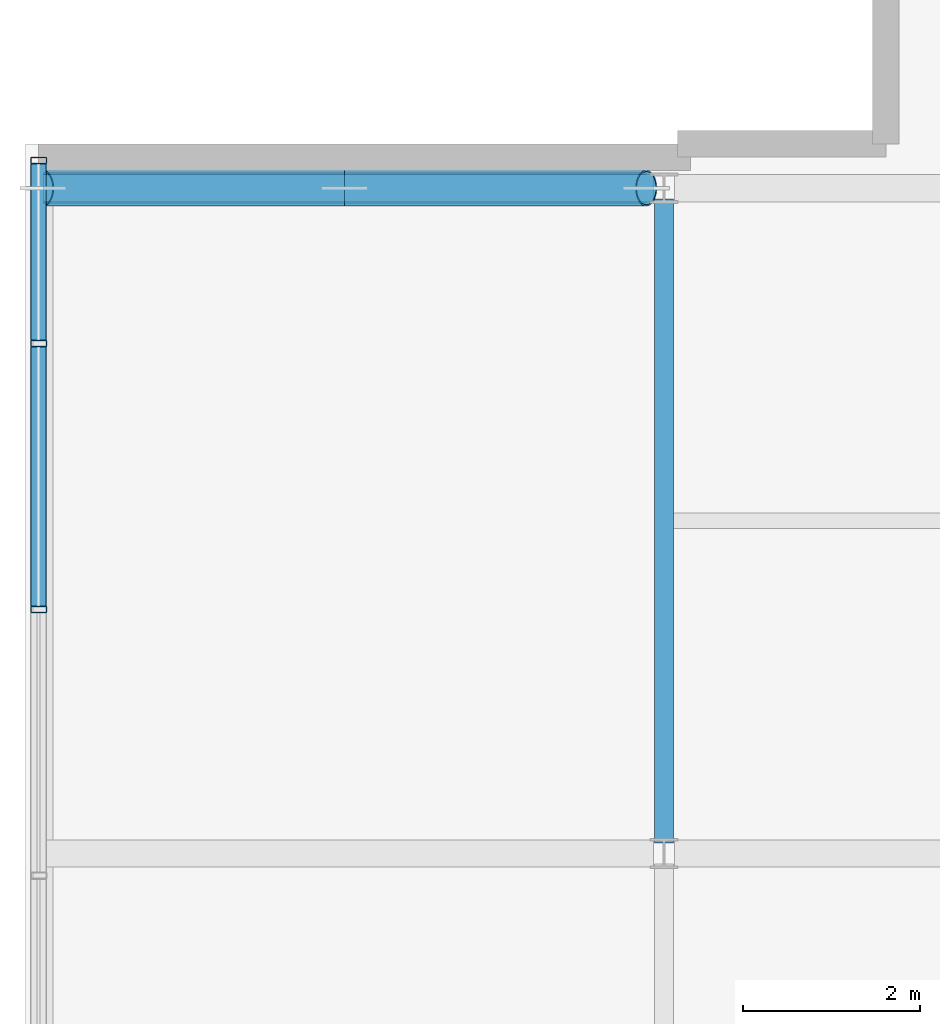
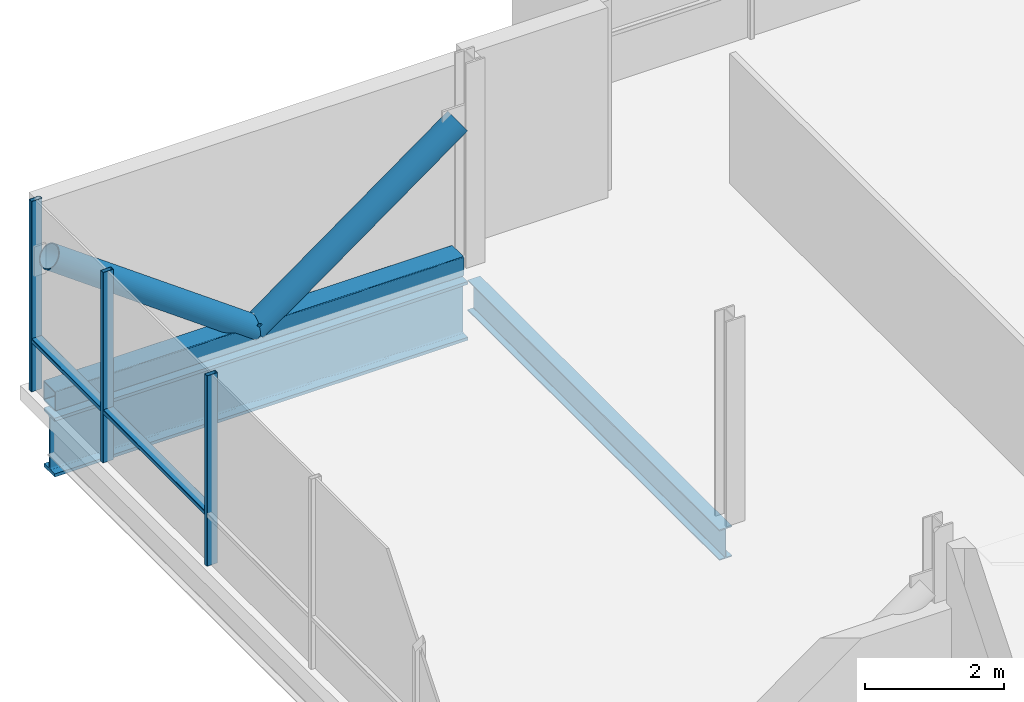
# One storey, part 4 of 18: 8 members, 2 beams, 1 element without a shape of its own.
"""IFC4 building model written with IfcOpenShell, lengths in metres."""

from ifc_helpers import new_model, si_unit, direction, frame, origin, origin_2d, place, context, subcontext, project, spatial, hollow_rectangle, hollow_circle, i_section, extrude, material, layer, layer_set, material_profile, profile_set, type_object, element, aggregate, save


model = new_model("IFC4")

# Units and contexts
model_context = context("Model", 3, precision=1e-05, world=origin(), true_north=direction((0.0, 1.0)))
body_context = subcontext(model_context, "Body", "Model", "MODEL_VIEW")
ifc_project = project(units=[si_unit("LENGTHUNIT", "METRE"), si_unit("AREAUNIT", "SQUARE_METRE"), si_unit("VOLUMEUNIT", "CUBIC_METRE"), si_unit("PLANEANGLEUNIT", "RADIAN"), si_unit("MASSUNIT", "GRAM", prefix="KILO")], contexts=[model_context])

# Site, building, storey
site_placement = place(None, origin())
site = spatial("IfcSite", under=ifc_project, at=site_placement, CompositionType="ELEMENT")
building_placement = place(site_placement, origin())
building = spatial("IfcBuilding", under=site, at=building_placement, Name="Brevholm Reach", CompositionType="ELEMENT")
storey_placement = place(building_placement, frame((0.0, 0.0, 240.050048828125)))
storey = spatial("IfcBuildingStorey", under=building, at=storey_placement, Name="L73", CompositionType="ELEMENT", Elevation=240.050048828125)

# Beams
ifc_material_1 = material(Name="Structural Steel S355J2", Category="steel")
ifc_material_profile_1 = material_profile(ifc_material_1, i_section(OverallWidth=0.210693359375, OverallDepth=0.53955078125, WebThickness=0.01171875, FlangeThickness=0.018798828125, FilletRadius=0.0126953125, at=origin_2d()), Name="UKB 533x210x109")
ifc_profile_set_1 = profile_set([ifc_material_profile_1], Name="Structural Steel S355J2")
beam_type_1 = type_object("IfcBeamType", Name="BM-SP539", PredefinedType="SPANDREL", material=ifc_profile_set_1)
beam_1_placement = place(storey_placement, frame((27.25, 16.1201171875, -0.519775390625), z_axis=(0.0, 1.0, 0.0), x_axis=(-1.0, 0.0, 0.0)))
element("IfcBeam", 1, at=beam_1_placement, inside=storey, type_object=beam_type_1, Name="L73 SP-01B Framing Beam", PredefinedType="SPANDREL", context=body_context, shape_type="SweptSolid", body=[
    extrude(i_section(OverallWidth=0.210693359375, OverallDepth=0.53955078125, WebThickness=0.01171875, FlangeThickness=0.018798828125, FilletRadius=0.0126953125, at=origin_2d()), origin(), (0.0, 0.0, 1.0), 7.259765625),
])
ifc_material_2 = material(Name="Structural Steel S460ML", Category="steel")
ifc_material_profile_2 = material_profile(ifc_material_2, i_section(OverallWidth=0.30859375, OverallDepth=1.036376953125, WebThickness=0.030029296875, FlangeThickness=0.05419921875, FilletRadius=0.030029296875, at=origin_2d()), Name="UKB 1016x305x487")
ifc_profile_set_2 = profile_set([ifc_material_profile_2], Name="Structural Steel S460ML")
beam_type_2 = type_object("IfcBeamType", Name="BM-UKB1016", PredefinedType="USERDEFINED", material=ifc_profile_set_2)
beam_2_placement = place(storey_placement, frame((20.25, 23.5, -0.768310546875), z_axis=(1.0, 0.0, 0.0), x_axis=(0.0, 1.0, 0.0)))
element("IfcBeam", 2, at=beam_2_placement, inside=storey, type_object=beam_type_2, Name="L73 Sky-Lounge Cantilever Girder", ObjectType="GIRDER", PredefinedType="USERDEFINED", context=body_context, shape_type="SweptSolid", body=[
    extrude(i_section(OverallWidth=0.30859375, OverallDepth=1.036376953125, WebThickness=0.030029296875, FlangeThickness=0.05419921875, FilletRadius=0.030029296875, at=origin_2d()), origin(), (0.0, 0.0, 1.0), 6.8798828125),
])

# Curtain wall, members
ifc_material_3 = material(Name="Dark Anodised Aluminium 6063-T6 and Solar-Control Glass", Category="aluminium")
ifc_layer = layer(ifc_material_3, 0.179931640625)
ifc_layer_set = layer_set([ifc_layer], Name="Dark Anodised Aluminium 6063-T6 and Solar-Control Glass")
curtain_wall_type = type_object("IfcCurtainWallType", Name="CW-05", PredefinedType="NOTDEFINED", material=ifc_layer_set)
curtain_wall_placement = place(storey_placement, origin())
curtain_wall = element("IfcCurtainWall", 3, at=curtain_wall_placement, inside=storey, type_object=curtain_wall_type, Name="L73 Curtain Wall CW-05", PredefinedType="NOTDEFINED")
ifc_material_4 = material(Name="Dark Anodised Aluminium 6063-T6", Category="aluminium")
ifc_material_profile_3 = material_profile(ifc_material_4, hollow_rectangle(XDim=0.074951171875, YDim=0.179931640625, WallThickness=0.006103515625, InnerFilletRadius=0.006103515625, OuterFilletRadius=0.011962890625, at=origin_2d()), Name="RHS 180x75x6")
ifc_profile_set_3 = profile_set([ifc_material_profile_3], Name="Dark Anodised Aluminium 6063-T6")
member_type_1 = type_object("IfcMemberType", Name="CWM-180", PredefinedType="MULLION", material=ifc_profile_set_3)
member_1_placement = place(storey_placement, frame((20.199951171875, 18.75, 0.0), z_axis=(0.0, 0.0, 1.0), x_axis=(0.0, 1.0, 0.0)))
member_1 = element("IfcMember", 4, at=member_1_placement, type_object=member_type_1, Name="CM-180 Mullion 4", PredefinedType="MULLION", context=body_context, shape_type="SweptSolid", body=[
    extrude(hollow_rectangle(XDim=0.074951171875, YDim=0.179931640625, WallThickness=0.006103515625, InnerFilletRadius=0.006103515625, OuterFilletRadius=0.011962890625, at=origin_2d()), origin(), (0.0, 0.0, 1.0), 3.349853515625),
])
member_2_placement = place(storey_placement, frame((20.199951171875, 21.75, 0.0), z_axis=(0.0, 0.0, 1.0), x_axis=(0.0, 1.0, 0.0)))
member_2 = element("IfcMember", 5, at=member_2_placement, type_object=member_type_1, Name="CM-180 Mullion 5", PredefinedType="MULLION", context=body_context, shape_type="SweptSolid", body=[
    extrude(hollow_rectangle(XDim=0.074951171875, YDim=0.179931640625, WallThickness=0.006103515625, InnerFilletRadius=0.006103515625, OuterFilletRadius=0.011962890625, at=origin_2d()), origin(), (0.0, 0.0, 1.0), 3.349853515625),
])
member_3_placement = place(storey_placement, frame((20.199951171875, 23.8125, 0.0), z_axis=(0.0, 0.0, 1.0), x_axis=(0.0, 1.0, 0.0)))
member_3 = element("IfcMember", 6, at=member_3_placement, type_object=member_type_1, Name="CM-180 Mullion 6", PredefinedType="MULLION", context=body_context, shape_type="SweptSolid", body=[
    extrude(hollow_rectangle(XDim=0.074951171875, YDim=0.179931640625, WallThickness=0.006103515625, InnerFilletRadius=0.006103515625, OuterFilletRadius=0.011962890625, at=origin_2d()), origin(), (0.0, 0.0, 1.0), 3.349853515625),
])
ifc_material_5 = material(Name="Dark Anodised Aluminium 6063-T6", Category="aluminium")
ifc_material_profile_4 = material_profile(ifc_material_5, hollow_rectangle(XDim=0.074951171875, YDim=0.179931640625, WallThickness=0.006103515625, InnerFilletRadius=0.006103515625, OuterFilletRadius=0.011962890625, at=origin_2d()), Name="RHS 180x75x6")
ifc_profile_set_4 = profile_set([ifc_material_profile_4], Name="Dark Anodised Aluminium 6063-T6")
member_type_2 = type_object("IfcMemberType", Name="CWT-180", PredefinedType="NOTDEFINED", material=ifc_profile_set_4)
member_4_placement = place(storey_placement, frame((20.199951171875, 18.78759765625, 0.89990234375), z_axis=(0.0, 1.0, 0.0), x_axis=(0.0, 0.0, 1.0)))
member_4 = element("IfcMember", 7, at=member_4_placement, type_object=member_type_2, Name="CT-180 Transom 4.1", ObjectType="TRANSOM", PredefinedType="USERDEFINED", context=body_context, shape_type="SweptSolid", body=[
    extrude(hollow_rectangle(XDim=0.074951171875, YDim=0.179931640625, WallThickness=0.006103515625, InnerFilletRadius=0.006103515625, OuterFilletRadius=0.011962890625, at=origin_2d()), origin(), (0.0, 0.0, 1.0), 2.9248046875),
])
member_5_placement = place(storey_placement, frame((20.199951171875, 21.78759765625, 0.89990234375), z_axis=(0.0, 1.0, 0.0), x_axis=(0.0, 0.0, 1.0)))
member_5 = element("IfcMember", 8, at=member_5_placement, type_object=member_type_2, Name="CT-180 Transom 5.1", ObjectType="TRANSOM", PredefinedType="USERDEFINED", context=body_context, shape_type="SweptSolid", body=[
    extrude(hollow_rectangle(XDim=0.074951171875, YDim=0.179931640625, WallThickness=0.006103515625, InnerFilletRadius=0.006103515625, OuterFilletRadius=0.011962890625, at=origin_2d()), origin(), (0.0, 0.0, 1.0), 1.9873046875),
])
aggregate(curtain_wall, [member_1, member_2, member_3, member_4, member_5])

# Members
ifc_material_6 = material(Name="Structural Steel S460NH", Category="steel")
ifc_material_profile_5 = material_profile(ifc_material_6, hollow_circle(Radius=0.203125, WallThickness=0.01611328125, at=origin_2d()), Name="CHS 406.4x16")
ifc_profile_set_5 = profile_set([ifc_material_profile_5], Name="Structural Steel S460NH")
member_type_3 = type_object("IfcMemberType", Name="MEM-TB-CHS406", PredefinedType="BRACE", material=ifc_profile_set_5)
member_6_placement = place(storey_placement, frame((27.050048828125, 23.5, 2.510009765625), z_axis=(-0.810192668767, 0.0, -0.586163662705), x_axis=(0.0, -1.0, 0.0)))
element("IfcMember", 9, at=member_6_placement, inside=storey, type_object=member_type_3, Name="L73 Sky-Lounge Cantilever Truss Diagonal Y23.1", PredefinedType="BRACE", context=body_context, shape_type="SweptSolid", body=[
    extrude(hollow_circle(Radius=0.203125, WallThickness=0.01611328125, at=origin_2d()), origin(), (0.0, 0.0, 1.0), 4.19677734375),
])
member_7_placement = place(storey_placement, frame((23.64990234375, 23.5, 0.050048828125), z_axis=(-0.810172679392, 0.0, 0.586191290934), x_axis=(0.0, -1.0, 0.0)))
element("IfcMember", 10, at=member_7_placement, inside=storey, type_object=member_type_3, Name="L73 Sky-Lounge Cantilever Truss Diagonal Y23.2", PredefinedType="BRACE", context=body_context, shape_type="SweptSolid", body=[
    extrude(hollow_circle(Radius=0.203125, WallThickness=0.01611328125, at=origin_2d()), origin(), (0.0, 0.0, 1.0), 4.196533203125),
])
ifc_material_7 = material(Name="Structural Steel S460NH", Category="steel")
ifc_material_profile_6 = material_profile(ifc_material_7, hollow_rectangle(XDim=0.35009765625, YDim=0.35009765625, WallThickness=0.01611328125, InnerFilletRadius=0.011962890625, OuterFilletRadius=0.02392578125, at=origin_2d()), Name="SHS 350x350x16")
ifc_profile_set_6 = profile_set([ifc_material_profile_6], Name="Structural Steel S460NH")
member_type_4 = type_object("IfcMemberType", Name="MEM-TC-SHS350", PredefinedType="CHORD", material=ifc_profile_set_6)
member_8_placement = place(storey_placement, frame((20.25, 23.5, 0.050048828125), z_axis=(1.0, 0.0, 0.0), x_axis=(0.0, 1.0, 0.0)))
element("IfcMember", 11, at=member_8_placement, inside=storey, type_object=member_type_4, Name="L73 Sky-Lounge Truss Bottom Chord Y23", PredefinedType="CHORD", context=body_context, shape_type="SweptSolid", body=[
    extrude(hollow_rectangle(XDim=0.35009765625, YDim=0.35009765625, WallThickness=0.01611328125, InnerFilletRadius=0.011962890625, OuterFilletRadius=0.02392578125, at=origin_2d()), origin(), (0.0, 0.0, 1.0), 6.800048828125),
])

save(model, "model.ifc")
